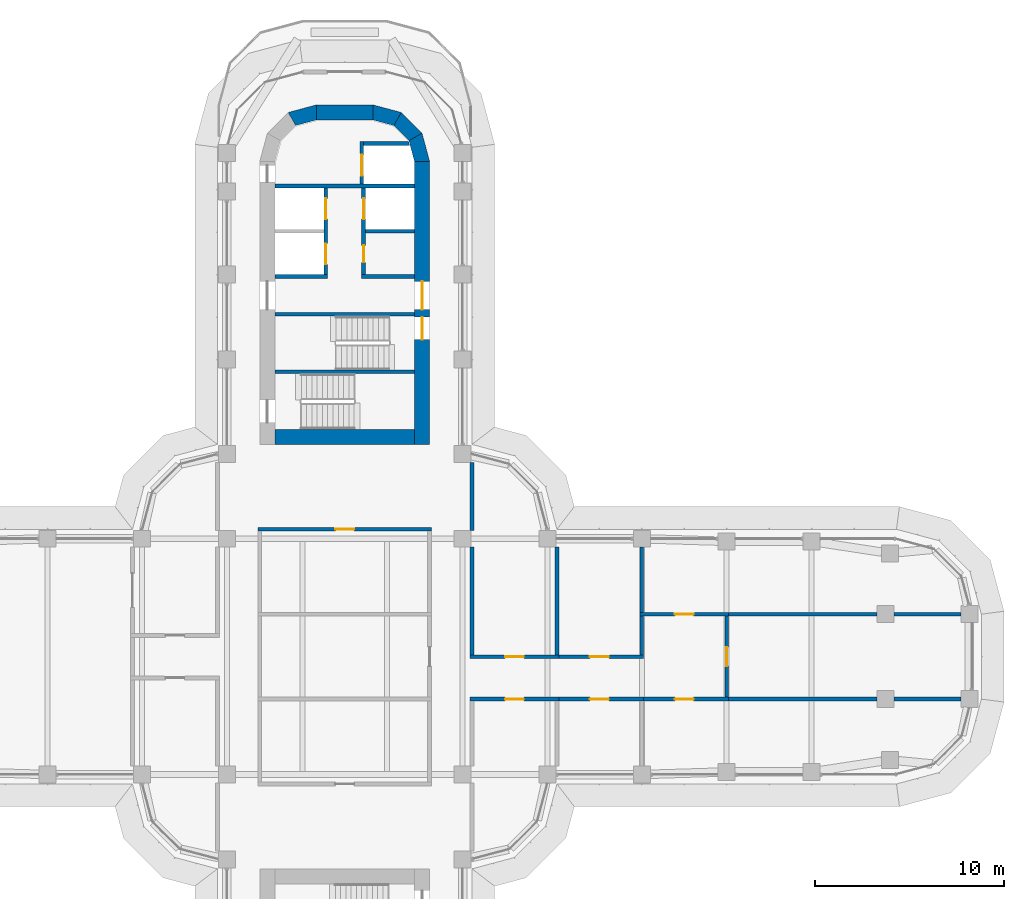
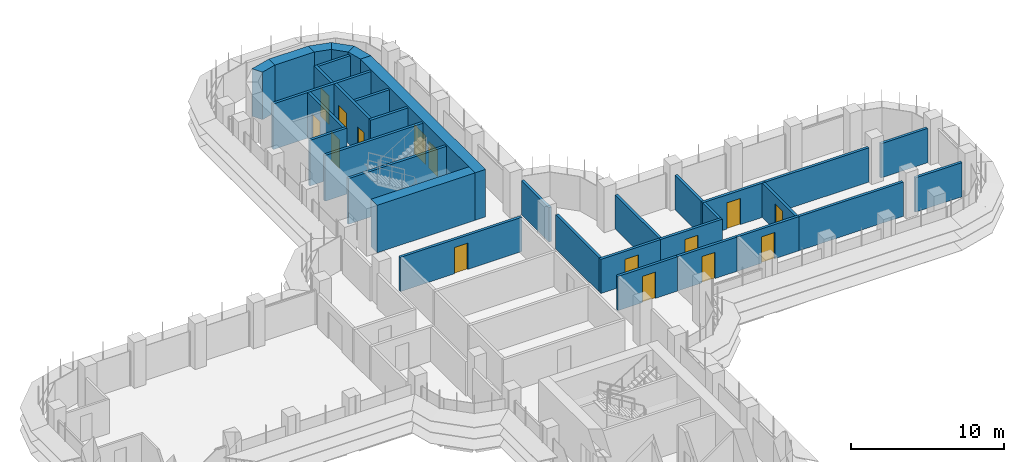
# One storey, part 17 of 22: 34 walls, 15 doors, 15 openings.
"""IFC4 building model written with IfcOpenShell, lengths in metres."""

from ifc_helpers import new_model, si_unit, direction, frame, frame_2d, origin, place, context, subcontext, project, spatial, polyline, rectangle, outline, extrude, material, layer, layer_set, type_object, element, fill, save


model = new_model("IFC4")

# Units and contexts
model_context = context("Model", 3, precision=1e-05, world=origin(), true_north=direction((0.0, 1.0)))
body_context = subcontext(model_context, "Body", "Model", "MODEL_VIEW")
ifc_project = project(units=[si_unit("LENGTHUNIT", "METRE"), si_unit("AREAUNIT", "SQUARE_METRE"), si_unit("VOLUMEUNIT", "CUBIC_METRE"), si_unit("PLANEANGLEUNIT", "RADIAN"), si_unit("MASSUNIT", "GRAM", prefix="KILO")], contexts=[model_context])

# Site, building, storey
site_placement = place(None, origin())
site = spatial("IfcSite", under=ifc_project, at=site_placement, CompositionType="ELEMENT")
building_placement = place(site_placement, origin())
building = spatial("IfcBuilding", under=site, at=building_placement, Name="Zarbagh Exchange Tower", CompositionType="ELEMENT")
storey_placement = place(building_placement, frame((0.0, 0.0, 94.199951171875)))
storey = spatial("IfcBuildingStorey", under=building, at=storey_placement, Name="L21", CompositionType="ELEMENT", Elevation=94.199951171875)

# Walls
ifc_material_1 = material(Name="Fire-rated plasterboard partition")
ifc_layer_1 = layer(ifc_material_1, 0.199951171875)
ifc_layer_set_1 = layer_set([ifc_layer_1], Name="RATED PARTITION 200")
wall_type_1 = type_object("IfcWallType", Name="RATED PARTITION 200", PredefinedType="PARTITIONING", material=ifc_layer_set_1)
wall_1_placement = place(storey_placement, frame((6.75, 0.10009765625, 0.0), z_axis=(0.0, 0.0, 1.0), x_axis=(0.0, 1.0, 0.0)))
element("IfcWall", 1, at=wall_1_placement, inside=storey, type_object=wall_type_1, Name="Partition W-711", PredefinedType="PARTITIONING", context=body_context, shape_type="SweptSolid", body=[
    extrude(rectangle(XDim=5.699951171875, YDim=0.199951171875, at=frame_2d((2.85009765625, 0.0))), origin(), (0.0, 0.0, 1.0), 2.738037109375),
])
wall_2_placement = place(storey_placement, frame((6.75, 6.699951171875, 0.0), z_axis=(0.0, 0.0, 1.0), x_axis=(0.0, 1.0, 0.0)))
element("IfcWall", 2, at=wall_2_placement, inside=storey, type_object=wall_type_1, Name="Partition W-712", PredefinedType="PARTITIONING", context=body_context, shape_type="SweptSolid", body=[
    extrude(rectangle(XDim=3.60009765625, YDim=0.199951171875, at=frame_2d((1.800048828125, 0.0))), origin(), (0.0, 0.0, 1.0), 2.738037109375),
])

# Wall, opening, door
wall_3_placement = place(storey_placement, frame((4.60009765625, 6.75, 0.0), z_axis=(0.0, 0.0, 1.0), x_axis=(-1.0, 0.0, 0.0)))
wall_3 = element("IfcWall", 3, at=wall_3_placement, inside=storey, type_object=wall_type_1, Name="Partition W-715", PredefinedType="PARTITIONING", context=body_context, shape_type="SweptSolid", body=[
    extrude(rectangle(XDim=9.2001953125, YDim=0.199951171875, at=frame_2d((4.60009765625, 0.0))), origin(), (0.0, 0.0, 1.0), 2.738037109375),
])
opening_1_placement = place(wall_3_placement, frame((4.10009765625, 0.0, 0.0)))
opening_1 = element("IfcOpeningElement", 4, at=opening_1_placement, cuts=wall_3, Name="Opening D-702", PredefinedType="OPENING", context=body_context, shape_type="SweptSolid", body=[
    extrude(rectangle(XDim=1.0, YDim=2.10009765625, at=frame_2d((0.5, 1.050048828125))), frame((0.0, 0.10986328125, 0.0), z_axis=(0.0, -1.0, 0.0), x_axis=(1.0, 0.0, 0.0)), (0.0, 0.0, 1.0), 0.219970703125),
])
ifc_material_2 = material(Name="Steel door set", Category="steel")
door_type_1 = type_object("IfcDoorType", Name="FIRE DOOR 1000 X 2100 FD30S", OperationType="NOTDEFINED", PredefinedType="DOOR", material=ifc_material_2)
door_1_placement = place(opening_1_placement, origin())
door_1 = element("IfcDoor", 5, at=door_1_placement, inside=storey, type_object=door_type_1, Name="Door D-702", OperationType="SINGLE_SWING_RIGHT", OverallHeight=2.10009765625, OverallWidth=1.0, PredefinedType="DOOR", context=body_context, shape_type="SweptSolid", body=[
    extrude(rectangle(XDim=1.0, YDim=2.10009765625, at=frame_2d((0.5, 1.050048828125))), frame((0.0, 0.02490234375, 0.0), z_axis=(0.0, -1.0, 0.0), x_axis=(1.0, 0.0, 0.0)), (0.0, 0.0, 1.0), 0.050048828125),
])
fill(opening_1, door_1)

wall_4_placement = place(storey_placement, frame((6.64990234375, 0.0, 0.0), z_axis=(0.0, 0.0, 1.0), x_axis=(1.0, 0.0, 0.0)))
wall_4 = element("IfcWall", 6, at=wall_4_placement, inside=storey, type_object=wall_type_1, Name="Partition W-719", PredefinedType="PARTITIONING", context=body_context, shape_type="SweptSolid", body=[
    extrude(rectangle(XDim=4.7001953125, YDim=0.199951171875, at=frame_2d((2.35009765625, 0.0))), origin(), (0.0, 0.0, 1.0), 2.738037109375),
])
opening_2_placement = place(wall_4_placement, frame((1.85009765625, 0.0, 0.0)))
opening_2 = element("IfcOpeningElement", 7, at=opening_2_placement, cuts=wall_4, Name="Opening D-706", PredefinedType="OPENING", context=body_context, shape_type="SweptSolid", body=[
    extrude(rectangle(XDim=1.0, YDim=2.10009765625, at=frame_2d((0.5, 1.050048828125))), frame((0.0, 0.10986328125, 0.0), z_axis=(0.0, -1.0, 0.0), x_axis=(1.0, 0.0, 0.0)), (0.0, 0.0, 1.0), 0.219970703125),
])
door_2_placement = place(opening_2_placement, origin())
door_2 = element("IfcDoor", 8, at=door_2_placement, inside=storey, type_object=door_type_1, Name="Door D-706", OperationType="SINGLE_SWING_RIGHT", OverallHeight=2.10009765625, OverallWidth=1.0, PredefinedType="DOOR", context=body_context, shape_type="SweptSolid", body=[
    extrude(rectangle(XDim=1.0, YDim=2.10009765625, at=frame_2d((0.5, 1.050048828125))), frame((0.0, 0.02490234375, 0.0), z_axis=(0.0, -1.0, 0.0), x_axis=(1.0, 0.0, 0.0)), (0.0, 0.0, 1.0), 0.050048828125),
])
fill(opening_2, door_2)

wall_5_placement = place(storey_placement, frame((11.35009765625, -2.25, 0.0), z_axis=(0.0, 0.0, 1.0), x_axis=(-1.0, 0.0, 0.0)))
wall_5 = element("IfcWall", 9, at=wall_5_placement, inside=storey, type_object=wall_type_1, Name="Partition W-720", PredefinedType="PARTITIONING", context=body_context, shape_type="SweptSolid", body=[
    extrude(rectangle(XDim=4.7001953125, YDim=0.199951171875, at=frame_2d((2.35009765625, 0.0))), origin(), (0.0, 0.0, 1.0), 2.738037109375),
])
opening_3_placement = place(wall_5_placement, frame((1.85009765625, 0.0, 0.0)))
opening_3 = element("IfcOpeningElement", 10, at=opening_3_placement, cuts=wall_5, Name="Opening D-709", PredefinedType="OPENING", context=body_context, shape_type="SweptSolid", body=[
    extrude(rectangle(XDim=1.0, YDim=2.10009765625, at=frame_2d((0.5, 1.050048828125))), frame((0.0, 0.10986328125, 0.0), z_axis=(0.0, -1.0, 0.0), x_axis=(1.0, 0.0, 0.0)), (0.0, 0.0, 1.0), 0.219970703125),
])
door_3_placement = place(opening_3_placement, origin())
door_3 = element("IfcDoor", 11, at=door_3_placement, inside=storey, type_object=door_type_1, Name="Door D-709", OperationType="SINGLE_SWING_RIGHT", OverallHeight=2.10009765625, OverallWidth=1.0, PredefinedType="DOOR", context=body_context, shape_type="SweptSolid", body=[
    extrude(rectangle(XDim=1.0, YDim=2.10009765625, at=frame_2d((0.5, 1.050048828125))), frame((0.0, 0.02490234375, 0.0), z_axis=(0.0, -1.0, 0.0), x_axis=(1.0, 0.0, 0.0)), (0.0, 0.0, 1.0), 0.050048828125),
])
fill(opening_3, door_3)

wall_6_placement = place(storey_placement, frame((11.14990234375, 0.0, 0.0), z_axis=(0.0, 0.0, 1.0), x_axis=(1.0, 0.0, 0.0)))
wall_6 = element("IfcWall", 12, at=wall_6_placement, inside=storey, type_object=wall_type_1, Name="Partition W-721", PredefinedType="PARTITIONING", context=body_context, shape_type="SweptSolid", body=[
    extrude(rectangle(XDim=4.7001953125, YDim=0.199951171875, at=frame_2d((2.35009765625, 0.0))), origin(), (0.0, 0.0, 1.0), 2.738037109375),
])
opening_4_placement = place(wall_6_placement, frame((1.85009765625, 0.0, 0.0)))
opening_4 = element("IfcOpeningElement", 13, at=opening_4_placement, cuts=wall_6, Name="Opening D-707", PredefinedType="OPENING", context=body_context, shape_type="SweptSolid", body=[
    extrude(rectangle(XDim=1.0, YDim=2.10009765625, at=frame_2d((0.5, 1.050048828125))), frame((0.0, 0.10986328125, 0.0), z_axis=(0.0, -1.0, 0.0), x_axis=(1.0, 0.0, 0.0)), (0.0, 0.0, 1.0), 0.219970703125),
])
door_4_placement = place(opening_4_placement, origin())
door_4 = element("IfcDoor", 14, at=door_4_placement, inside=storey, type_object=door_type_1, Name="Door D-707", OperationType="SINGLE_SWING_RIGHT", OverallHeight=2.10009765625, OverallWidth=1.0, PredefinedType="DOOR", context=body_context, shape_type="SweptSolid", body=[
    extrude(rectangle(XDim=1.0, YDim=2.10009765625, at=frame_2d((0.5, 1.050048828125))), frame((0.0, 0.02490234375, 0.0), z_axis=(0.0, -1.0, 0.0), x_axis=(1.0, 0.0, 0.0)), (0.0, 0.0, 1.0), 0.050048828125),
])
fill(opening_4, door_4)

wall_7_placement = place(storey_placement, frame((15.85009765625, -2.25, 0.0), z_axis=(0.0, 0.0, 1.0), x_axis=(-1.0, 0.0, 0.0)))
wall_7 = element("IfcWall", 15, at=wall_7_placement, inside=storey, type_object=wall_type_1, Name="Partition W-722", PredefinedType="PARTITIONING", context=body_context, shape_type="SweptSolid", body=[
    extrude(rectangle(XDim=4.7001953125, YDim=0.199951171875, at=frame_2d((2.35009765625, 0.0))), origin(), (0.0, 0.0, 1.0), 2.738037109375),
])
opening_5_placement = place(wall_7_placement, frame((1.85009765625, 0.0, 0.0)))
opening_5 = element("IfcOpeningElement", 16, at=opening_5_placement, cuts=wall_7, Name="Opening D-710", PredefinedType="OPENING", context=body_context, shape_type="SweptSolid", body=[
    extrude(rectangle(XDim=1.0, YDim=2.10009765625, at=frame_2d((0.5, 1.050048828125))), frame((0.0, 0.10986328125, 0.0), z_axis=(0.0, -1.0, 0.0), x_axis=(1.0, 0.0, 0.0)), (0.0, 0.0, 1.0), 0.219970703125),
])
door_5_placement = place(opening_5_placement, origin())
door_5 = element("IfcDoor", 17, at=door_5_placement, inside=storey, type_object=door_type_1, Name="Door D-710", OperationType="SINGLE_SWING_RIGHT", OverallHeight=2.10009765625, OverallWidth=1.0, PredefinedType="DOOR", context=body_context, shape_type="SweptSolid", body=[
    extrude(rectangle(XDim=1.0, YDim=2.10009765625, at=frame_2d((0.5, 1.050048828125))), frame((0.0, 0.02490234375, 0.0), z_axis=(0.0, -1.0, 0.0), x_axis=(1.0, 0.0, 0.0)), (0.0, 0.0, 1.0), 0.050048828125),
])
fill(opening_5, door_5)

# Walls
wall_8_placement = place(storey_placement, frame((11.25, 0.10009765625, 0.0), z_axis=(0.0, 0.0, 1.0), x_axis=(0.0, 1.0, 0.0)))
element("IfcWall", 18, at=wall_8_placement, inside=storey, type_object=wall_type_1, Name="Partition W-723", PredefinedType="PARTITIONING", context=body_context, shape_type="SweptSolid", body=[
    extrude(rectangle(XDim=5.699951171875, YDim=0.199951171875, at=frame_2d((2.85009765625, 0.0))), origin(), (0.0, 0.0, 1.0), 2.738037109375),
])
wall_9_placement = place(storey_placement, frame((15.75, 0.10009765625, 0.0), z_axis=(0.0, 0.0, 1.0), x_axis=(0.0, 1.0, 0.0)))
element("IfcWall", 19, at=wall_9_placement, inside=storey, type_object=wall_type_1, Name="Partition W-725", PredefinedType="PARTITIONING", context=body_context, shape_type="SweptSolid", body=[
    extrude(rectangle(XDim=2.0498046875, YDim=0.199951171875, at=frame_2d((1.02490234375, 0.0))), origin(), (0.0, 0.0, 1.0), 2.738037109375),
])
wall_10_placement = place(storey_placement, frame((15.75, 2.35009765625, 0.0), z_axis=(0.0, 0.0, 1.0), x_axis=(0.0, 1.0, 0.0)))
element("IfcWall", 20, at=wall_10_placement, inside=storey, type_object=wall_type_1, Name="Partition W-726", PredefinedType="PARTITIONING", context=body_context, shape_type="SweptSolid", body=[
    extrude(rectangle(XDim=3.449951171875, YDim=0.199951171875, at=frame_2d((1.72509765625, 0.0))), origin(), (0.0, 0.0, 1.0), 2.738037109375),
])

# Wall, opening, door
wall_11_placement = place(storey_placement, frame((15.64990234375, 2.25, 0.0), z_axis=(0.0, 0.0, 1.0), x_axis=(1.0, 0.0, 0.0)))
wall_11 = element("IfcWall", 21, at=wall_11_placement, inside=storey, type_object=wall_type_1, Name="Partition W-728", PredefinedType="PARTITIONING", context=body_context, shape_type="SweptSolid", body=[
    extrude(rectangle(XDim=4.7001953125, YDim=0.199951171875, at=frame_2d((2.35009765625, 0.0))), origin(), (0.0, 0.0, 1.0), 2.738037109375),
])
opening_6_placement = place(wall_11_placement, frame((1.85009765625, 0.0, 0.0)))
opening_6 = element("IfcOpeningElement", 22, at=opening_6_placement, cuts=wall_11, Name="Opening D-705", PredefinedType="OPENING", context=body_context, shape_type="SweptSolid", body=[
    extrude(rectangle(XDim=1.0, YDim=2.10009765625, at=frame_2d((0.5, 1.050048828125))), frame((0.0, 0.10986328125, 0.0), z_axis=(0.0, -1.0, 0.0), x_axis=(1.0, 0.0, 0.0)), (0.0, 0.0, 1.0), 0.219970703125),
])
door_6_placement = place(opening_6_placement, origin())
door_6 = element("IfcDoor", 23, at=door_6_placement, inside=storey, type_object=door_type_1, Name="Door D-705", OperationType="SINGLE_SWING_LEFT", OverallHeight=2.10009765625, OverallWidth=1.0, PredefinedType="DOOR", context=body_context, shape_type="SweptSolid", body=[
    extrude(rectangle(XDim=1.0, YDim=2.10009765625, at=frame_2d((0.5, 1.050048828125))), frame((0.0, 0.02490234375, 0.0), z_axis=(0.0, -1.0, 0.0), x_axis=(1.0, 0.0, 0.0)), (0.0, 0.0, 1.0), 0.050048828125),
])
fill(opening_6, door_6)

wall_12_placement = place(storey_placement, frame((20.35009765625, -2.25, 0.0), z_axis=(0.0, 0.0, 1.0), x_axis=(-1.0, 0.0, 0.0)))
wall_12 = element("IfcWall", 24, at=wall_12_placement, inside=storey, type_object=wall_type_1, Name="Partition W-729", PredefinedType="PARTITIONING", context=body_context, shape_type="SweptSolid", body=[
    extrude(rectangle(XDim=4.7001953125, YDim=0.199951171875, at=frame_2d((2.35009765625, 0.0))), origin(), (0.0, 0.0, 1.0), 2.738037109375),
])
opening_7_placement = place(wall_12_placement, frame((1.85009765625, 0.0, 0.0)))
opening_7 = element("IfcOpeningElement", 25, at=opening_7_placement, cuts=wall_12, Name="Opening D-708", PredefinedType="OPENING", context=body_context, shape_type="SweptSolid", body=[
    extrude(rectangle(XDim=1.0, YDim=2.10009765625, at=frame_2d((0.5, 1.050048828125))), frame((0.0, 0.10986328125, 0.0), z_axis=(0.0, -1.0, 0.0), x_axis=(1.0, 0.0, 0.0)), (0.0, 0.0, 1.0), 0.219970703125),
])
door_7_placement = place(opening_7_placement, origin())
door_7 = element("IfcDoor", 26, at=door_7_placement, inside=storey, type_object=door_type_1, Name="Door D-708", OperationType="SINGLE_SWING_RIGHT", OverallHeight=2.10009765625, OverallWidth=1.0, PredefinedType="DOOR", context=body_context, shape_type="SweptSolid", body=[
    extrude(rectangle(XDim=1.0, YDim=2.10009765625, at=frame_2d((0.5, 1.050048828125))), frame((0.0, 0.02490234375, 0.0), z_axis=(0.0, -1.0, 0.0), x_axis=(1.0, 0.0, 0.0)), (0.0, 0.0, 1.0), 0.050048828125),
])
fill(opening_7, door_7)

wall_13_placement = place(storey_placement, frame((20.25, 2.14990234375, 0.0), z_axis=(0.0, 0.0, 1.0), x_axis=(0.0, -1.0, 0.0)))
wall_13 = element("IfcWall", 27, at=wall_13_placement, inside=storey, type_object=wall_type_1, Name="Partition W-730", PredefinedType="PARTITIONING", context=body_context, shape_type="SweptSolid", body=[
    extrude(rectangle(XDim=4.2998046875, YDim=0.199951171875, at=frame_2d((2.14990234375, 0.0))), origin(), (0.0, 0.0, 1.0), 2.738037109375),
])
opening_8_placement = place(wall_13_placement, frame((1.64990234375, 0.0, 0.0)))
opening_8 = element("IfcOpeningElement", 28, at=opening_8_placement, cuts=wall_13, Name="Opening D-704", PredefinedType="OPENING", context=body_context, shape_type="SweptSolid", body=[
    extrude(rectangle(XDim=1.0, YDim=2.10009765625, at=frame_2d((0.5, 1.050048828125))), frame((0.0, 0.10986328125, 0.0), z_axis=(0.0, -1.0, 0.0), x_axis=(1.0, 0.0, 0.0)), (0.0, 0.0, 1.0), 0.219970703125),
])
door_8_placement = place(opening_8_placement, origin())
door_8 = element("IfcDoor", 29, at=door_8_placement, inside=storey, type_object=door_type_1, Name="Door D-704", OperationType="SINGLE_SWING_RIGHT", OverallHeight=2.10009765625, OverallWidth=1.0, PredefinedType="DOOR", context=body_context, shape_type="SweptSolid", body=[
    extrude(rectangle(XDim=1.0, YDim=2.10009765625, at=frame_2d((0.5, 1.050048828125))), frame((0.0, 0.02490234375, 0.0), z_axis=(0.0, -1.0, 0.0), x_axis=(1.0, 0.0, 0.0)), (0.0, 0.0, 1.0), 0.050048828125),
])
fill(opening_8, door_8)

# Walls
wall_14_placement = place(storey_placement, frame((20.14990234375, 2.25, 0.0), z_axis=(0.0, 0.0, 1.0), x_axis=(1.0, 0.0, 0.0)))
element("IfcWall", 30, at=wall_14_placement, inside=storey, type_object=wall_type_1, Name="Partition W-731", PredefinedType="PARTITIONING", context=body_context, shape_type="SweptSolid", body=[
    extrude(rectangle(XDim=8.070068359375, YDim=0.199951171875, at=frame_2d((4.03515625, 0.0))), origin(), (0.0, 0.0, 1.0), 2.738037109375),
])
wall_15_placement = place(storey_placement, frame((29.1201171875, 2.25, 0.0), z_axis=(0.0, 0.0, 1.0), x_axis=(1.0, 0.0, 0.0)))
element("IfcWall", 31, at=wall_15_placement, inside=storey, type_object=wall_type_1, Name="Partition W-732", PredefinedType="PARTITIONING", context=body_context, shape_type="SweptSolid", body=[
    extrude(rectangle(XDim=3.539794921875, YDim=0.199951171875, at=frame_2d((1.77001953125, 0.0))), origin(), (0.0, 0.0, 1.0), 2.738037109375),
])
wall_16_placement = place(storey_placement, frame((20.14990234375, -2.25, 0.0), z_axis=(0.0, 0.0, 1.0), x_axis=(1.0, 0.0, 0.0)))
element("IfcWall", 32, at=wall_16_placement, inside=storey, type_object=wall_type_1, Name="Partition W-733", PredefinedType="PARTITIONING", context=body_context, shape_type="SweptSolid", body=[
    extrude(rectangle(XDim=8.070068359375, YDim=0.199951171875, at=frame_2d((4.03515625, 0.0))), origin(), (0.0, 0.0, 1.0), 2.738037109375),
])
wall_17_placement = place(storey_placement, frame((29.1201171875, -2.25, 0.0), z_axis=(0.0, 0.0, 1.0), x_axis=(1.0, 0.0, 0.0)))
element("IfcWall", 33, at=wall_17_placement, inside=storey, type_object=wall_type_1, Name="Partition W-734", PredefinedType="PARTITIONING", context=body_context, shape_type="SweptSolid", body=[
    extrude(rectangle(XDim=3.539794921875, YDim=0.199951171875, at=frame_2d((1.77001953125, 0.0))), origin(), (0.0, 0.0, 1.0), 2.738037109375),
])
ifc_material_3 = material(Name="Concrete C60/75", Category="concrete")
ifc_layer_2 = layer(ifc_material_3, 0.800048828125)
ifc_layer_set_2 = layer_set([ifc_layer_2], Name="RC core corner wall 800 C60/75")
wall_type_2 = type_object("IfcWallType", Name="RC core corner wall 800 C60/75", PredefinedType="SHEAR", material=ifc_layer_set_2)
wall_18_placement = place(storey_placement, origin())
element("IfcWall", 34, at=wall_18_placement, inside=storey, type_object=wall_type_2, Name="CW4 core N corner W", PredefinedType="SHEAR", context=body_context, shape_type="SweptSolid", body=[
    extrude(outline(polyline([(-3.0, 28.84814453125), (-1.5, 29.25), (-1.5, 28.449951171875), (-2.60009765625, 28.1552734375), (-3.0, 28.84814453125)])), origin(), (0.0, 0.0, 1.0), 3.800048828125),
])
wall_19_placement = place(storey_placement, origin())
element("IfcWall", 35, at=wall_19_placement, inside=storey, type_object=wall_type_2, Name="CW4 core N corner E", PredefinedType="SHEAR", context=body_context, shape_type="SweptSolid", body=[
    extrude(outline(polyline([(4.5, 26.25), (4.09814453125, 27.75), (3.4052734375, 27.35009765625), (3.699951171875, 26.25), (4.5, 26.25)])), origin(), (0.0, 0.0, 1.0), 3.800048828125),
])
wall_20_placement = place(storey_placement, origin())
element("IfcWall", 36, at=wall_20_placement, inside=storey, type_object=wall_type_2, Name="CW4 core N corner E", PredefinedType="SHEAR", context=body_context, shape_type="SweptSolid", body=[
    extrude(outline(polyline([(4.09814453125, 27.75), (3.0, 28.84814453125), (2.60009765625, 28.1552734375), (3.4052734375, 27.35009765625), (4.09814453125, 27.75)])), origin(), (0.0, 0.0, 1.0), 3.800048828125),
])
wall_21_placement = place(storey_placement, origin())
element("IfcWall", 37, at=wall_21_placement, inside=storey, type_object=wall_type_2, Name="CW4 core N corner E", PredefinedType="SHEAR", context=body_context, shape_type="SweptSolid", body=[
    extrude(outline(polyline([(3.0, 28.84814453125), (1.5, 29.25), (1.5, 28.449951171875), (2.60009765625, 28.1552734375), (3.0, 28.84814453125)])), origin(), (0.0, 0.0, 1.0), 3.800048828125),
])

# Wall, openings, doors
ifc_layer_3 = layer(ifc_material_3, 0.800048828125)
ifc_layer_set_3 = layer_set([ifc_layer_3], Name="RC core wall 800 C60/75")
wall_type_3 = type_object("IfcWallType", Name="RC core wall 800 C60/75", PredefinedType="SHEAR", material=ifc_layer_set_3)
wall_22_placement = place(storey_placement, frame((4.10009765625, 11.25, 0.0), z_axis=(0.0, 0.0, 1.0), x_axis=(0.0, 1.0, 0.0)))
wall_22 = element("IfcWall", 38, at=wall_22_placement, inside=storey, type_object=wall_type_3, Name="CW3 core N E", PredefinedType="SHEAR", context=body_context, shape_type="SweptSolid", body=[
    extrude(rectangle(XDim=15.0, YDim=0.800048828125, at=frame_2d((7.5, 0.0))), origin(), (0.0, 0.0, 1.0), 3.800048828125),
])
opening_9_placement = place(wall_22_placement, frame((7.14990234375, 0.0, 0.0)))
opening_9 = element("IfcOpeningElement", 39, at=opening_9_placement, cuts=wall_22, Name="Opening CD1-1500", PredefinedType="OPENING", context=body_context, shape_type="SweptSolid", body=[
    extrude(rectangle(XDim=1.5, YDim=2.300048828125, at=frame_2d((0.75, 1.14990234375))), frame((0.0, 0.409912109375, 0.0), z_axis=(0.0, -1.0, 0.0), x_axis=(1.0, 0.0, 0.0)), (0.0, 0.0, 1.0), 0.820068359375),
])
opening_10_placement = place(wall_22_placement, frame((5.550048828125, 0.0, 0.0)))
opening_10 = element("IfcOpeningElement", 40, at=opening_10_placement, cuts=wall_22, Name="Opening SD1-1200", PredefinedType="OPENING", context=body_context, shape_type="SweptSolid", body=[
    extrude(rectangle(XDim=1.199951171875, YDim=2.10009765625, at=frame_2d((0.60009765625, 1.050048828125))), frame((0.0, 0.409912109375, 0.0), z_axis=(0.0, -1.0, 0.0), x_axis=(1.0, 0.0, 0.0)), (0.0, 0.0, 1.0), 0.820068359375),
])
ifc_material_4 = material(Name="Steel", Category="steel")
door_type_2 = type_object("IfcDoorType", Name="Exit stair door 1200 x 2100", OperationType="NOTDEFINED", PredefinedType="DOOR", material=ifc_material_4)
door_9_placement = place(opening_10_placement, origin())
door_9 = element("IfcDoor", 41, at=door_9_placement, inside=storey, type_object=door_type_2, Name="North core stair door ST1", OperationType="SINGLE_SWING_LEFT", OverallHeight=2.10009765625, OverallWidth=1.199951171875, PredefinedType="DOOR", context=body_context, shape_type="SweptSolid", body=[
    extrude(rectangle(XDim=1.199951171875, YDim=2.10009765625, at=frame_2d((0.60009765625, 1.050048828125))), frame((0.0, 0.02490234375, 0.0), z_axis=(0.0, -1.0, 0.0), x_axis=(1.0, 0.0, 0.0)), (0.0, 0.0, 1.0), 0.050048828125),
])
fill(opening_10, door_9)
door_type_3 = type_object("IfcDoorType", Name="Lift lobby double door 1500 x 2300", OperationType="NOTDEFINED", PredefinedType="DOOR", material=ifc_material_4)
door_10_placement = place(opening_9_placement, origin())
door_10 = element("IfcDoor", 42, at=door_10_placement, inside=storey, type_object=door_type_3, Name="North core lift lobby door LOBBY-E", OperationType="DOUBLE_DOOR_SINGLE_SWING", OverallHeight=2.300048828125, OverallWidth=1.5, PredefinedType="DOOR", context=body_context, shape_type="SweptSolid", body=[
    extrude(rectangle(XDim=1.5, YDim=2.300048828125, at=frame_2d((0.75, 1.14990234375))), frame((0.0, 0.02490234375, 0.0), z_axis=(0.0, -1.0, 0.0), x_axis=(1.0, 0.0, 0.0)), (0.0, 0.0, 1.0), 0.050048828125),
])
fill(opening_9, door_10)

# Walls
wall_23_placement = place(storey_placement, frame((-3.699951171875, 11.64990234375, 0.0), z_axis=(0.0, 0.0, 1.0), x_axis=(1.0, 0.0, 0.0)))
element("IfcWall", 43, at=wall_23_placement, inside=storey, type_object=wall_type_3, Name="CW3 core N inner end", PredefinedType="SHEAR", context=body_context, shape_type="SweptSolid", body=[
    extrude(rectangle(XDim=7.39990234375, YDim=0.800048828125, at=frame_2d((3.699951171875, 0.0))), origin(), (0.0, 0.0, 1.0), 3.800048828125),
])
wall_24_placement = place(storey_placement, frame((-1.5, 28.85009765625, 0.0), z_axis=(0.0, 0.0, 1.0), x_axis=(1.0, 0.0, 0.0)))
element("IfcWall", 44, at=wall_24_placement, inside=storey, type_object=wall_type_3, Name="CW3 core N outer end", PredefinedType="SHEAR", context=body_context, shape_type="SweptSolid", body=[
    extrude(rectangle(XDim=3.0, YDim=0.800048828125, at=frame_2d((1.5, 0.0))), origin(), (0.0, 0.0, 1.0), 3.800048828125),
])
ifc_material_5 = material(Name="Dense blockwork", Category="masonry")
ifc_layer_4 = layer(ifc_material_5, 0.199951171875)
ifc_layer_set_4 = layer_set([ifc_layer_4], Name="Shaft wall 200 mm blockwork")
wall_type_4 = type_object("IfcWallType", Name="Shaft wall 200 mm blockwork", PredefinedType="PARTITIONING", material=ifc_layer_set_4)
wall_25_placement = place(storey_placement, frame((-3.699951171875, 20.14990234375, 0.0), z_axis=(0.0, 0.0, 1.0), x_axis=(1.0, 0.0, 0.0)))
element("IfcWall", 45, at=wall_25_placement, inside=storey, type_object=wall_type_4, Name="North core shaft wall AB-W", PredefinedType="PARTITIONING", context=body_context, shape_type="SweptSolid", body=[
    extrude(rectangle(XDim=2.800048828125, YDim=0.199951171875, at=frame_2d((1.39990234375, 0.0))), origin(), (0.0, 0.0, 1.0), 3.650146484375),
])

# Wall, openings, doors
wall_26_placement = place(storey_placement, frame((-1.0, 24.85009765625, 0.0), z_axis=(0.0, 0.0, 1.0), x_axis=(0.0, -1.0, 0.0)))
wall_26 = element("IfcWall", 46, at=wall_26_placement, inside=storey, type_object=wall_type_4, Name="North core shaft wall LW-W", PredefinedType="PARTITIONING", context=body_context, shape_type="SweptSolid", body=[
    extrude(rectangle(XDim=4.60009765625, YDim=0.199951171875, at=frame_2d((2.300048828125, 0.0))), origin(), (0.0, 0.0, 1.0), 3.650146484375),
])
opening_11_placement = place(wall_26_placement, frame((0.550048828125, 0.0, 0.0)))
opening_11 = element("IfcOpeningElement", 47, at=opening_11_placement, cuts=wall_26, Name="Opening LD-1100", PredefinedType="OPENING", context=body_context, shape_type="SweptSolid", body=[
    extrude(rectangle(XDim=1.10009765625, YDim=2.300048828125, at=frame_2d((0.550048828125, 1.14990234375))), frame((0.0, 0.10986328125, 0.0), z_axis=(0.0, -1.0, 0.0), x_axis=(1.0, 0.0, 0.0)), (0.0, 0.0, 1.0), 0.219970703125),
])
opening_12_placement = place(wall_26_placement, frame((2.949951171875, 0.0, 0.0)))
opening_12 = element("IfcOpeningElement", 48, at=opening_12_placement, cuts=wall_26, Name="Opening LD-1100", PredefinedType="OPENING", context=body_context, shape_type="SweptSolid", body=[
    extrude(rectangle(XDim=1.10009765625, YDim=2.300048828125, at=frame_2d((0.550048828125, 1.14990234375))), frame((0.0, 0.10986328125, 0.0), z_axis=(0.0, -1.0, 0.0), x_axis=(1.0, 0.0, 0.0)), (0.0, 0.0, 1.0), 0.219970703125),
])
ifc_material_6 = material(Name="Stainless steel", Category="steel")
door_type_4 = type_object("IfcDoorType", Name="Lift landing door 1100 x 2300", OperationType="NOTDEFINED", PredefinedType="DOOR", material=ifc_material_6)
door_11_placement = place(opening_11_placement, origin())
door_11 = element("IfcDoor", 49, at=door_11_placement, inside=storey, type_object=door_type_4, Name="North core lift landing door LD-P-N1", OperationType="DOUBLE_DOOR_SLIDING", OverallHeight=2.300048828125, OverallWidth=1.10009765625, PredefinedType="DOOR", context=body_context, shape_type="SweptSolid", body=[
    extrude(rectangle(XDim=1.10009765625, YDim=2.300048828125, at=frame_2d((0.550048828125, 1.14990234375))), frame((0.0, 0.02490234375, 0.0), z_axis=(0.0, -1.0, 0.0), x_axis=(1.0, 0.0, 0.0)), (0.0, 0.0, 1.0), 0.050048828125),
])
fill(opening_11, door_11)
door_12_placement = place(opening_12_placement, origin())
door_12 = element("IfcDoor", 50, at=door_12_placement, inside=storey, type_object=door_type_4, Name="North core lift landing door LD-P-N2", OperationType="DOUBLE_DOOR_SLIDING", OverallHeight=2.300048828125, OverallWidth=1.10009765625, PredefinedType="DOOR", context=body_context, shape_type="SweptSolid", body=[
    extrude(rectangle(XDim=1.10009765625, YDim=2.300048828125, at=frame_2d((0.550048828125, 1.14990234375))), frame((0.0, 0.02490234375, 0.0), z_axis=(0.0, -1.0, 0.0), x_axis=(1.0, 0.0, 0.0)), (0.0, 0.0, 1.0), 0.050048828125),
])
fill(opening_12, door_12)

# Wall
wall_27_placement = place(storey_placement, frame((0.89990234375, 20.14990234375, 0.0), z_axis=(0.0, 0.0, 1.0), x_axis=(1.0, 0.0, 0.0)))
element("IfcWall", 51, at=wall_27_placement, inside=storey, type_object=wall_type_4, Name="North core shaft wall AB-E", PredefinedType="PARTITIONING", context=body_context, shape_type="SweptSolid", body=[
    extrude(rectangle(XDim=2.800048828125, YDim=0.199951171875, at=frame_2d((1.39990234375, 0.0))), origin(), (0.0, 0.0, 1.0), 3.650146484375),
])

# Wall, openings, doors
wall_28_placement = place(storey_placement, frame((1.0, 24.85009765625, 0.0), z_axis=(0.0, 0.0, 1.0), x_axis=(0.0, -1.0, 0.0)))
wall_28 = element("IfcWall", 52, at=wall_28_placement, inside=storey, type_object=wall_type_4, Name="North core shaft wall LW-E", PredefinedType="PARTITIONING", context=body_context, shape_type="SweptSolid", body=[
    extrude(rectangle(XDim=4.60009765625, YDim=0.199951171875, at=frame_2d((2.300048828125, 0.0))), origin(), (0.0, 0.0, 1.0), 3.650146484375),
])
opening_13_placement = place(wall_28_placement, frame((0.550048828125, 0.0, 0.0)))
opening_13 = element("IfcOpeningElement", 53, at=opening_13_placement, cuts=wall_28, Name="Opening LD-1100", PredefinedType="OPENING", context=body_context, shape_type="SweptSolid", body=[
    extrude(rectangle(XDim=1.10009765625, YDim=2.300048828125, at=frame_2d((0.550048828125, 1.14990234375))), frame((0.0, 0.10986328125, 0.0), z_axis=(0.0, -1.0, 0.0), x_axis=(1.0, 0.0, 0.0)), (0.0, 0.0, 1.0), 0.219970703125),
])
opening_14_placement = place(wall_28_placement, frame((3.050048828125, 0.0, 0.0)))
opening_14 = element("IfcOpeningElement", 54, at=opening_14_placement, cuts=wall_28, Name="Opening CD3-900", PredefinedType="OPENING", context=body_context, shape_type="SweptSolid", body=[
    extrude(rectangle(XDim=0.89990234375, YDim=2.10009765625, at=frame_2d((0.449951171875, 1.050048828125))), frame((0.0, 0.10986328125, 0.0), z_axis=(0.0, -1.0, 0.0), x_axis=(1.0, 0.0, 0.0)), (0.0, 0.0, 1.0), 0.219970703125),
])
door_type_5 = type_object("IfcDoorType", Name="Core room door 900 x 2100", OperationType="NOTDEFINED", PredefinedType="DOOR", material=ifc_material_4)
door_13_placement = place(opening_14_placement, origin())
door_13 = element("IfcDoor", 55, at=door_13_placement, inside=storey, type_object=door_type_5, Name="North core Accessible WC door RD-E-0", OperationType="SINGLE_SWING_RIGHT", OverallHeight=2.10009765625, OverallWidth=0.89990234375, PredefinedType="DOOR", context=body_context, shape_type="SweptSolid", body=[
    extrude(rectangle(XDim=0.89990234375, YDim=2.10009765625, at=frame_2d((0.449951171875, 1.050048828125))), frame((0.0, 0.02490234375, 0.0), z_axis=(0.0, -1.0, 0.0), x_axis=(1.0, 0.0, 0.0)), (0.0, 0.0, 1.0), 0.050048828125),
])
fill(opening_14, door_13)
door_14_placement = place(opening_13_placement, origin())
door_14 = element("IfcDoor", 56, at=door_14_placement, inside=storey, type_object=door_type_4, Name="North core lift landing door LD-P-N3", OperationType="DOUBLE_DOOR_SLIDING", OverallHeight=2.300048828125, OverallWidth=1.10009765625, PredefinedType="DOOR", context=body_context, shape_type="SweptSolid", body=[
    extrude(rectangle(XDim=1.10009765625, YDim=2.300048828125, at=frame_2d((0.550048828125, 1.14990234375))), frame((0.0, 0.02490234375, 0.0), z_axis=(0.0, -1.0, 0.0), x_axis=(1.0, 0.0, 0.0)), (0.0, 0.0, 1.0), 0.050048828125),
])
fill(opening_13, door_14)

# Walls
wall_29_placement = place(storey_placement, frame((1.10009765625, 22.550048828125, 0.0), z_axis=(0.0, 0.0, 1.0), x_axis=(1.0, 0.0, 0.0)))
element("IfcWall", 57, at=wall_29_placement, inside=storey, type_object=wall_type_4, Name="North core shaft wall TR-E", PredefinedType="PARTITIONING", context=body_context, shape_type="SweptSolid", body=[
    extrude(rectangle(XDim=2.599853515625, YDim=0.199951171875, at=frame_2d((1.2998046875, 0.0))), origin(), (0.0, 0.0, 1.0), 3.650146484375),
])
ifc_material_7 = material(Name="Concrete C40/50", Category="concrete")
ifc_layer_5 = layer(ifc_material_7, 0.199951171875)
ifc_layer_set_5 = layer_set([ifc_layer_5], Name="Stair enclosure wall 200 mm RC C40/50")
wall_type_5 = type_object("IfcWallType", Name="Stair enclosure wall 200 mm RC C40/50", PredefinedType="SHEAR", material=ifc_layer_set_5)
wall_30_placement = place(storey_placement, frame((-3.699951171875, 24.949951171875, 0.0), z_axis=(0.0, 0.0, 1.0), x_axis=(1.0, 0.0, 0.0)))
element("IfcWall", 58, at=wall_30_placement, inside=storey, type_object=wall_type_5, Name="North core lift shaft wall FFA", PredefinedType="SHEAR", context=body_context, shape_type="SweptSolid", body=[
    extrude(rectangle(XDim=7.39990234375, YDim=0.199951171875, at=frame_2d((3.699951171875, 0.0))), origin(), (0.0, 0.0, 1.0), 3.650146484375),
])

# Wall, opening, door
wall_31_placement = place(storey_placement, frame((0.89990234375, 27.300048828125, 0.0), z_axis=(0.0, 0.0, 1.0), x_axis=(0.0, -1.0, 0.0)))
wall_31 = element("IfcWall", 59, at=wall_31_placement, inside=storey, type_object=wall_type_5, Name="North core lift shaft wall FFL", PredefinedType="SHEAR", context=body_context, shape_type="SweptSolid", body=[
    extrude(rectangle(XDim=2.25, YDim=0.199951171875, at=frame_2d((1.125, 0.0))), origin(), (0.0, 0.0, 1.0), 3.650146484375),
])
opening_15_placement = place(wall_31_placement, frame((0.699951171875, 0.0, 0.0)))
opening_15 = element("IfcOpeningElement", 60, at=opening_15_placement, cuts=wall_31, Name="Opening LD-1100", PredefinedType="OPENING", context=body_context, shape_type="SweptSolid", body=[
    extrude(rectangle(XDim=1.10009765625, YDim=2.300048828125, at=frame_2d((0.550048828125, 1.14990234375))), frame((0.0, 0.10986328125, 0.0), z_axis=(0.0, -1.0, 0.0), x_axis=(1.0, 0.0, 0.0)), (0.0, 0.0, 1.0), 0.219970703125),
])
door_15_placement = place(opening_15_placement, origin())
door_15 = element("IfcDoor", 61, at=door_15_placement, inside=storey, type_object=door_type_4, Name="North core lift landing door LD-F", OperationType="DOUBLE_DOOR_SLIDING", OverallHeight=2.300048828125, OverallWidth=1.10009765625, PredefinedType="DOOR", context=body_context, shape_type="SweptSolid", body=[
    extrude(rectangle(XDim=1.10009765625, YDim=2.300048828125, at=frame_2d((0.550048828125, 1.14990234375))), frame((0.0, 0.02490234375, 0.0), z_axis=(0.0, -1.0, 0.0), x_axis=(1.0, 0.0, 0.0)), (0.0, 0.0, 1.0), 0.050048828125),
])
fill(opening_15, door_15)

# Walls
wall_32_placement = place(storey_placement, origin())
element("IfcWall", 62, at=wall_32_placement, inside=storey, type_object=wall_type_5, Name="North core lift shaft wall FFX", PredefinedType="SHEAR", context=body_context, shape_type="SweptSolid", body=[
    extrude(outline(polyline([(1.0, 27.10009765625), (3.444091796875, 27.10009765625), (3.390380859375, 27.300048828125), (1.0, 27.300048828125), (1.0, 27.10009765625)])), origin(), (0.0, 0.0, 1.0), 3.650146484375),
])
for number, where, z_axis, x_axis, name in (
    (63, (-3.699951171875, 18.14990234375, 0.0), (0.0, 0.0, 1.0), (1.0, 0.0, 0.0), "North core stair wall BS"),
    (64, (-3.699951171875, 15.10009765625, 0.0), (0.0, 0.0, 1.0), (1.0, 0.0, 0.0), "North core stair wall ST12"),
):
    element("IfcWall", number, at=place(storey_placement, frame(where, z_axis=z_axis, x_axis=x_axis)), inside=storey, type_object=wall_type_5, Name=name, PredefinedType="SHEAR", context=body_context, shape_type="SweptSolid", body=[
        extrude(rectangle(XDim=7.39990234375, YDim=0.199951171875, at=frame_2d((3.699951171875, 0.0))), origin(), (0.0, 0.0, 1.0), 3.650146484375),
    ])

save(model, "model.ifc")
